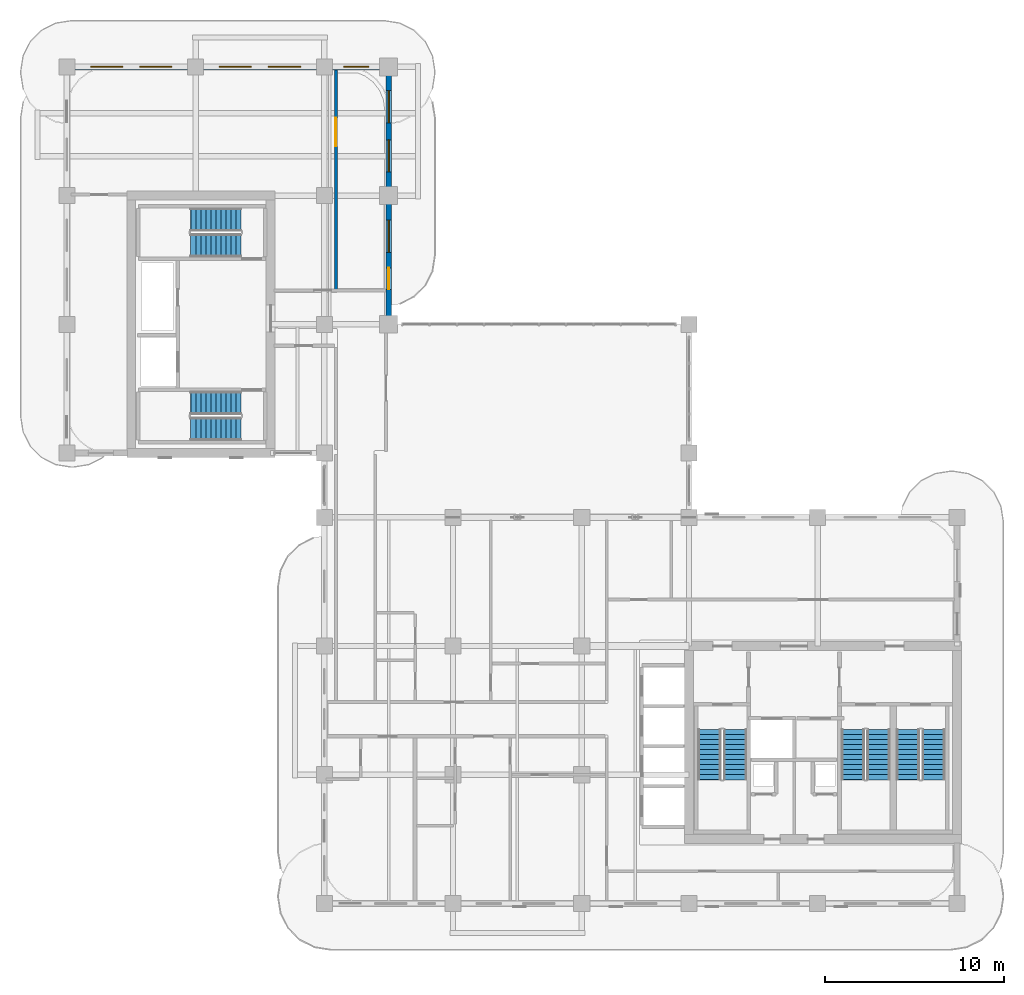
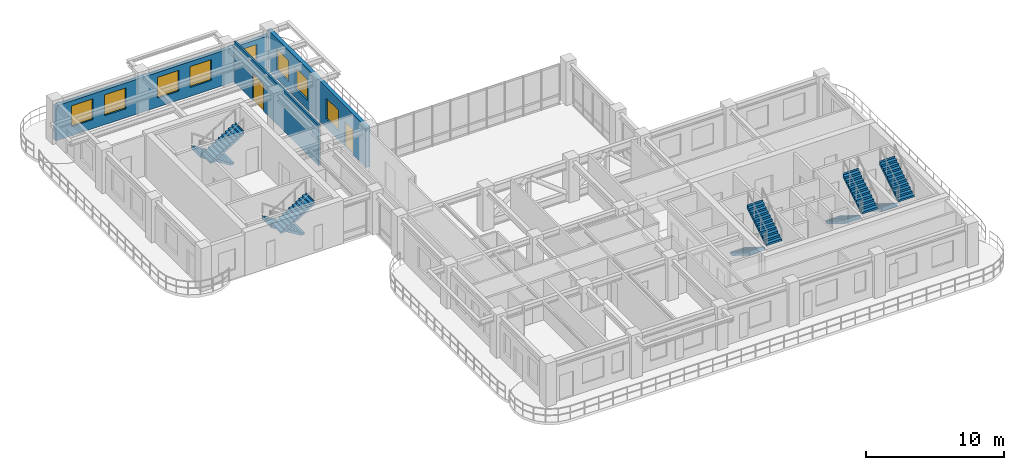
# One storey, part 14 of 19: 10 stair flights, 8 windows, 3 walls, 2 doors, 10 openings, 5 elements without a shape of their own.
"""IFC4 building model written with IfcOpenShell, lengths in metres."""

from ifc_helpers import new_model, si_unit, derived_unit, direction, frame, frame_2d, origin, place, context, subcontext, project, spatial, polyline, rectangle, outline, extrude, source, transform, mapped, material, layer, layer_set, type_object, type_shapes, element, fill, aggregate, save


model = new_model("IFC4")

# Units and contexts
model_context = context("Model", 3, precision=1e-05, world=origin(), true_north=direction((0.0, 1.0)))
body_context = subcontext(model_context, "Body", "Model", "MODEL_VIEW")
ifc_project = project(units=[si_unit("LENGTHUNIT", "METRE"), si_unit("AREAUNIT", "SQUARE_METRE"), si_unit("VOLUMEUNIT", "CUBIC_METRE"), si_unit("PLANEANGLEUNIT", "RADIAN"), si_unit("MASSUNIT", "GRAM", prefix="KILO"), si_unit("THERMODYNAMICTEMPERATUREUNIT", "KELVIN"), si_unit("POWERUNIT", "WATT"), derived_unit("THERMALTRANSMITTANCEUNIT", [(si_unit("POWERUNIT", "WATT"), 1), (si_unit("AREAUNIT", "SQUARE_METRE"), -1), (si_unit("THERMODYNAMICTEMPERATUREUNIT", "KELVIN"), -1)])], contexts=[model_context])

# Site, building, storey
site_placement = place(None, origin())
site = spatial("IfcSite", under=ifc_project, at=site_placement, CompositionType="ELEMENT")
building_placement = place(site_placement, origin())
building = spatial("IfcBuilding", under=site, at=building_placement, Name="Zahravan Archway Hotel and Residences", CompositionType="ELEMENT")
storey_placement = place(building_placement, frame((0.0, 0.0, 201.89990234375)))
storey = spatial("IfcBuildingStorey", under=building, at=storey_placement, Name="L50", CompositionType="ELEMENT", Elevation=201.89990234375)

# Wall, openings, windows
ifc_material_1 = material(Name="Agra Buff Sandstone & Insulated Backup", Category="masonry")
ifc_layer_1 = layer(ifc_material_1, 0.320068359375, Name="Agra Buff Sandstone & Insulated Backup", Category="masonry")
ifc_layer_set_1 = layer_set([ifc_layer_1], Name="Agra Buff Sandstone & Insulated Backup")
wall_type_1 = type_object("IfcWallType", Name="EW-SAND-320", PredefinedType="SOLIDWALL", material=ifc_layer_set_1)
wall_1_placement = place(storey_placement, frame((0.0, 46.800048828125, 0.0), z_axis=(0.0, 0.0, 1.0), x_axis=(1.0, 0.0, 0.0)))
wall_1 = element("IfcWall", 1, at=wall_1_placement, inside=storey, type_object=wall_type_1, Name="L50 Exterior Sandstone Wall WB-N", PredefinedType="SOLIDWALL", context=body_context, shape_type="SweptSolid", body=[
    extrude(rectangle(XDim=18.0, YDim=0.320068359375, at=frame_2d((9.0, 0.0))), origin(), (0.0, 0.0, 1.0), 3.085205078125),
])
opening_1_placement = place(wall_1_placement, frame((1.324951171875, 0.0, 0.800048828125)))
opening_1 = element("IfcOpeningElement", 2, at=opening_1_placement, cuts=wall_1, Name="Opening W-02", PredefinedType="OPENING", context=body_context, shape_type="SweptSolid", body=[
    extrude(rectangle(XDim=1.800048828125, YDim=1.85009765625, at=frame_2d((0.89990234375, 0.925048828125))), frame((0.0, 0.169921875, 0.0), z_axis=(0.0, -1.0, 0.0), x_axis=(1.0, 0.0, 0.0)), (0.0, 0.0, 1.0), 0.340087890625),
])
opening_2_placement = place(wall_1_placement, frame((4.074951171875, 0.0, 0.800048828125)))
opening_2 = element("IfcOpeningElement", 3, at=opening_2_placement, cuts=wall_1, Name="Opening W-02", PredefinedType="OPENING", context=body_context, shape_type="SweptSolid", body=[
    extrude(rectangle(XDim=1.800048828125, YDim=1.85009765625, at=frame_2d((0.89990234375, 0.925048828125))), frame((0.0, 0.169921875, 0.0), z_axis=(0.0, -1.0, 0.0), x_axis=(1.0, 0.0, 0.0)), (0.0, 0.0, 1.0), 0.340087890625),
])
opening_3_placement = place(wall_1_placement, frame((8.52490234375, 0.0, 0.800048828125)))
opening_3 = element("IfcOpeningElement", 4, at=opening_3_placement, cuts=wall_1, Name="Opening W-02", PredefinedType="OPENING", context=body_context, shape_type="SweptSolid", body=[
    extrude(rectangle(XDim=1.800048828125, YDim=1.85009765625, at=frame_2d((0.89990234375, 0.925048828125))), frame((0.0, 0.169921875, 0.0), z_axis=(0.0, -1.0, 0.0), x_axis=(1.0, 0.0, 0.0)), (0.0, 0.0, 1.0), 0.340087890625),
])
opening_4_placement = place(wall_1_placement, frame((11.27490234375, 0.0, 0.800048828125)))
opening_4 = element("IfcOpeningElement", 5, at=opening_4_placement, cuts=wall_1, Name="Opening W-02", PredefinedType="OPENING", context=body_context, shape_type="SweptSolid", body=[
    extrude(rectangle(XDim=1.800048828125, YDim=1.85009765625, at=frame_2d((0.89990234375, 0.925048828125))), frame((0.0, 0.169921875, 0.0), z_axis=(0.0, -1.0, 0.0), x_axis=(1.0, 0.0, 0.0)), (0.0, 0.0, 1.0), 0.340087890625),
])
opening_5_placement = place(wall_1_placement, frame((15.5, 0.0, 0.800048828125)))
opening_5 = element("IfcOpeningElement", 6, at=opening_5_placement, cuts=wall_1, Name="Opening W-03", PredefinedType="OPENING", context=body_context, shape_type="SweptSolid", body=[
    extrude(rectangle(XDim=1.39990234375, YDim=1.85009765625, at=frame_2d((0.699951171875, 0.925048828125))), frame((0.0, 0.169921875, 0.0), z_axis=(0.0, -1.0, 0.0), x_axis=(1.0, 0.0, 0.0)), (0.0, 0.0, 1.0), 0.340087890625),
])
ifc_material_2 = material(Name="Bronze-Anodized Thermal-Break Aluminium & Low-E Glass", Category="aluminium")
window_type_1 = type_object("IfcWindowType", Name="WIN-TWR-1400", PartitioningType="SINGLE_PANEL", PredefinedType="WINDOW", material=ifc_material_2)
shared_shape_1 = source(origin(), body_context, "Body", "SweptSolid", [
    extrude(rectangle(XDim=1.39990234375, YDim=1.85009765625, at=frame_2d((0.699951171875, 0.925048828125))), frame((0.0, 0.030029296875, 0.0), z_axis=(0.0, -1.0, 0.0), x_axis=(1.0, 0.0, 0.0)), (0.0, 0.0, 1.0), 0.06005859375),
])
type_shapes(window_type_1, [shared_shape_1])
window_1_placement = place(opening_5_placement, origin())
window_1 = element("IfcWindow", 7, at=window_1_placement, inside=storey, type_object=window_type_1, Name="L50 Loggia Window 30", OverallHeight=1.85009765625, OverallWidth=1.39990234375, PartitioningType="SINGLE_PANEL", PredefinedType="WINDOW", context=body_context, shape_type="MappedRepresentation", body=[
    mapped(shared_shape_1, transform((0.0, 0.0, 0.0), scale=1.0)),
])
fill(opening_5, window_1)
window_type_2 = type_object("IfcWindowType", Name="WIN-TWR-1800", PartitioningType="DOUBLE_PANEL_VERTICAL", PredefinedType="WINDOW", material=ifc_material_2)
shared_shape_2 = source(origin(), body_context, "Body", "SweptSolid", [
    extrude(rectangle(XDim=1.800048828125, YDim=1.85009765625, at=frame_2d((0.89990234375, 0.925048828125))), frame((0.0, 0.030029296875, 0.0), z_axis=(0.0, -1.0, 0.0), x_axis=(1.0, 0.0, 0.0)), (0.0, 0.0, 1.0), 0.06005859375),
])
type_shapes(window_type_2, [shared_shape_2])
window_2_placement = place(opening_1_placement, origin())
window_2 = element("IfcWindow", 8, at=window_2_placement, inside=storey, type_object=window_type_2, Name="L50 Loggia Window 26", OverallHeight=1.85009765625, OverallWidth=1.800048828125, PartitioningType="DOUBLE_PANEL_VERTICAL", PredefinedType="WINDOW", context=body_context, shape_type="MappedRepresentation", body=[
    mapped(shared_shape_2, transform((0.0, 0.0, 0.0), scale=1.0)),
])
fill(opening_1, window_2)
window_3_placement = place(opening_2_placement, origin())
window_3 = element("IfcWindow", 9, at=window_3_placement, inside=storey, type_object=window_type_2, Name="L50 Loggia Window 27", OverallHeight=1.85009765625, OverallWidth=1.800048828125, PartitioningType="DOUBLE_PANEL_VERTICAL", PredefinedType="WINDOW", context=body_context, shape_type="MappedRepresentation", body=[
    mapped(shared_shape_2, transform((0.0, 0.0, 0.0), scale=1.0)),
])
fill(opening_2, window_3)
window_4_placement = place(opening_3_placement, origin())
window_4 = element("IfcWindow", 10, at=window_4_placement, inside=storey, type_object=window_type_2, Name="L50 Loggia Window 28", OverallHeight=1.85009765625, OverallWidth=1.800048828125, PartitioningType="DOUBLE_PANEL_VERTICAL", PredefinedType="WINDOW", context=body_context, shape_type="MappedRepresentation", body=[
    mapped(shared_shape_2, transform((0.0, 0.0, 0.0), scale=1.0)),
])
fill(opening_3, window_4)
window_5_placement = place(opening_4_placement, origin())
window_5 = element("IfcWindow", 11, at=window_5_placement, inside=storey, type_object=window_type_2, Name="L50 Loggia Window 29", OverallHeight=1.85009765625, OverallWidth=1.800048828125, PartitioningType="DOUBLE_PANEL_VERTICAL", PredefinedType="WINDOW", context=body_context, shape_type="MappedRepresentation", body=[
    mapped(shared_shape_2, transform((0.0, 0.0, 0.0), scale=1.0)),
])
fill(opening_4, window_5)

# Wall, openings, door, windows
wall_2_placement = place(storey_placement, frame((18.0, 32.39990234375, 0.0), z_axis=(0.0, 0.0, 1.0), x_axis=(0.0, 1.0, 0.0)))
wall_2 = element("IfcWall", 12, at=wall_2_placement, inside=storey, type_object=wall_type_1, Name="L50 Exterior Sandstone Wall WB-EU", PredefinedType="SOLIDWALL", context=body_context, shape_type="SweptSolid", body=[
    extrude(rectangle(XDim=14.35009765625, YDim=0.320068359375, at=frame_2d((7.175048828125, 0.0))), origin(), (0.0, 0.0, 1.0), 3.60009765625),
])
opening_6_placement = place(wall_2_placement, frame((1.9560546875, 0.0, 0.0)))
opening_6 = element("IfcOpeningElement", 13, at=opening_6_placement, cuts=wall_2, Name="Opening ED-BL1", PredefinedType="OPENING", context=body_context, shape_type="SweptSolid", body=[
    extrude(rectangle(XDim=1.199951171875, YDim=2.199951171875, at=frame_2d((0.60009765625, 1.10009765625))), frame((0.0, 0.169921875, 0.0), z_axis=(0.0, -1.0, 0.0), x_axis=(1.0, 0.0, 0.0)), (0.0, 0.0, 1.0), 0.340087890625),
])
opening_7_placement = place(wall_2_placement, frame((4.028076171875, 0.0, 0.800048828125)))
opening_7 = element("IfcOpeningElement", 14, at=opening_7_placement, cuts=wall_2, Name="Opening W-02", PredefinedType="OPENING", context=body_context, shape_type="SweptSolid", body=[
    extrude(rectangle(XDim=1.800048828125, YDim=1.85009765625, at=frame_2d((0.89990234375, 0.925048828125))), frame((0.0, 0.169921875, 0.0), z_axis=(0.0, -1.0, 0.0), x_axis=(1.0, 0.0, 0.0)), (0.0, 0.0, 1.0), 0.340087890625),
])
opening_8_placement = place(wall_2_placement, frame((8.52490234375, 0.0, 0.800048828125)))
opening_8 = element("IfcOpeningElement", 15, at=opening_8_placement, cuts=wall_2, Name="Opening W-02", PredefinedType="OPENING", context=body_context, shape_type="SweptSolid", body=[
    extrude(rectangle(XDim=1.800048828125, YDim=1.85009765625, at=frame_2d((0.89990234375, 0.925048828125))), frame((0.0, 0.169921875, 0.0), z_axis=(0.0, -1.0, 0.0), x_axis=(1.0, 0.0, 0.0)), (0.0, 0.0, 1.0), 0.340087890625),
])
opening_9_placement = place(wall_2_placement, frame((11.27490234375, 0.0, 0.800048828125)))
opening_9 = element("IfcOpeningElement", 16, at=opening_9_placement, cuts=wall_2, Name="Opening W-02", PredefinedType="OPENING", context=body_context, shape_type="SweptSolid", body=[
    extrude(rectangle(XDim=1.800048828125, YDim=1.85009765625, at=frame_2d((0.89990234375, 0.925048828125))), frame((0.0, 0.169921875, 0.0), z_axis=(0.0, -1.0, 0.0), x_axis=(1.0, 0.0, 0.0)), (0.0, 0.0, 1.0), 0.340087890625),
])
ifc_material_3 = material(Name="Bronze-Anodized Glazed Aluminium", Category="aluminium")
door_type_1 = type_object("IfcDoorType", Name="ED-BALC-1200", OperationType="SLIDING_TO_LEFT", PredefinedType="DOOR", material=ifc_material_3)
shared_shape_3 = source(origin(), body_context, "Body", "SweptSolid", [
    extrude(rectangle(XDim=1.199951171875, YDim=2.199951171875, at=frame_2d((0.60009765625, 1.10009765625))), frame((0.0, 0.02490234375, 0.0), z_axis=(0.0, -1.0, 0.0), x_axis=(1.0, 0.0, 0.0)), (0.0, 0.0, 1.0), 0.050048828125),
])
type_shapes(door_type_1, [shared_shape_3])
door_1_placement = place(opening_6_placement, origin())
door_1 = element("IfcDoor", 17, at=door_1_placement, inside=storey, type_object=door_type_1, Name="L50 Outdoor Access Sliding Door (SLB-BAL-L50-EB)", OperationType="SLIDING_TO_LEFT", OverallHeight=2.199951171875, OverallWidth=1.199951171875, PredefinedType="DOOR", context=body_context, shape_type="MappedRepresentation", body=[
    mapped(shared_shape_3, transform((0.0, 0.0, 0.0), scale=1.0)),
])
fill(opening_6, door_1)
window_6_placement = place(opening_7_placement, origin())
window_6 = element("IfcWindow", 18, at=window_6_placement, inside=storey, type_object=window_type_2, Name="L50 Loggia Window 31", OverallHeight=1.85009765625, OverallWidth=1.800048828125, PartitioningType="DOUBLE_PANEL_VERTICAL", PredefinedType="WINDOW", context=body_context, shape_type="MappedRepresentation", body=[
    mapped(shared_shape_2, transform((0.0, 0.0, 0.0), scale=1.0)),
])
fill(opening_7, window_6)
window_7_placement = place(opening_8_placement, origin())
window_7 = element("IfcWindow", 19, at=window_7_placement, inside=storey, type_object=window_type_2, Name="L50 Loggia Window 32", OverallHeight=1.85009765625, OverallWidth=1.800048828125, PartitioningType="DOUBLE_PANEL_VERTICAL", PredefinedType="WINDOW", context=body_context, shape_type="MappedRepresentation", body=[
    mapped(shared_shape_2, transform((0.0, 0.0, 0.0), scale=1.0)),
])
fill(opening_8, window_7)
window_8_placement = place(opening_9_placement, origin())
window_8 = element("IfcWindow", 20, at=window_8_placement, inside=storey, type_object=window_type_2, Name="L50 Loggia Window 33", OverallHeight=1.85009765625, OverallWidth=1.800048828125, PartitioningType="DOUBLE_PANEL_VERTICAL", PredefinedType="WINDOW", context=body_context, shape_type="MappedRepresentation", body=[
    mapped(shared_shape_2, transform((0.0, 0.0, 0.0), scale=1.0)),
])
fill(opening_9, window_8)

# Wall, opening, door
ifc_material_4 = material(Name="Fire-Rated Gypsum & Concrete Block", Category="concrete")
ifc_layer_2 = layer(ifc_material_4, 0.159912109375, Name="Fire-Rated Gypsum & Concrete Block", Category="concrete")
ifc_layer_set_2 = layer_set([ifc_layer_2], Name="Fire-Rated Gypsum & Concrete Block")
wall_type_2 = type_object("IfcWallType", Name="PW-CORR-160", PredefinedType="PARTITIONING", material=ifc_layer_set_2)
wall_3_placement = place(storey_placement, frame((15.050048828125, 34.340087890625, 0.0), z_axis=(0.0, 0.0, 1.0), x_axis=(0.0, 1.0, 0.0)))
wall_3 = element("IfcWall", 21, at=wall_3_placement, inside=storey, type_object=wall_type_2, Name="L50 Partition WBN-C", PredefinedType="PARTITIONING", context=body_context, shape_type="SweptSolid", body=[
    extrude(rectangle(XDim=12.2919921875, YDim=0.159912109375, at=frame_2d((6.14599609375, 0.0))), origin(), (0.0, 0.0, 1.0), 3.60009765625),
])
opening_10_placement = place(wall_3_placement, frame((8.010009765625, 0.0, 0.0)))
opening_10 = element("IfcOpeningElement", 22, at=opening_10_placement, cuts=wall_3, Name="Opening D-P2", PredefinedType="OPENING", context=body_context, shape_type="SweptSolid", body=[
    extrude(rectangle(XDim=1.60009765625, YDim=2.39990234375, at=frame_2d((0.800048828125, 1.199951171875))), frame((0.0, 0.08984375, 0.0), z_axis=(0.0, -1.0, 0.0), x_axis=(1.0, 0.0, 0.0)), (0.0, 0.0, 1.0), 0.179931640625),
])
door_type_2 = type_object("IfcDoorType", Name="ID-PUBLIC-1600", OperationType="DOUBLE_DOOR_SINGLE_SWING", PredefinedType="DOOR", material=ifc_material_3)
shared_shape_4 = source(origin(), body_context, "Body", "SweptSolid", [
    extrude(rectangle(XDim=1.60009765625, YDim=2.39990234375, at=frame_2d((0.800048828125, 1.199951171875))), frame((0.0, 0.02490234375, 0.0), z_axis=(0.0, -1.0, 0.0), x_axis=(1.0, 0.0, 0.0)), (0.0, 0.0, 1.0), 0.050048828125),
])
type_shapes(door_type_2, [shared_shape_4])
door_2_placement = place(opening_10_placement, origin())
door_2 = element("IfcDoor", 23, at=door_2_placement, inside=storey, type_object=door_type_2, Name="L50 North Wing Spa Salon Door", OperationType="DOUBLE_DOOR_SINGLE_SWING", OverallHeight=2.39990234375, OverallWidth=1.60009765625, PredefinedType="DOOR", context=body_context, shape_type="MappedRepresentation", body=[
    mapped(shared_shape_4, transform((0.0, 0.0, 0.0), scale=1.0)),
])
fill(opening_10, door_2)

# Stair, stair flights
ifc_material_5 = material(Name="Concrete C50/60", Category="concrete")
stair_type = type_object("IfcStairType", Name="STR-CORE-1300", PredefinedType="HALF_TURN_STAIR", material=ifc_material_5)
stair_1_placement = place(storey_placement, origin())
stair_1 = element("IfcStair", 24, at=stair_1_placement, inside=storey, type_object=stair_type, Name="L50 Core A Exit Stair 1", PredefinedType="HALF_TURN_STAIR")
ifc_layer_3 = layer(ifc_material_5, 0.199951171875, Name="Concrete C50/60", Category="concrete")
ifc_layer_set_3 = layer_set([ifc_layer_3], Name="Concrete C50/60")
stair_flight_type = type_object("IfcStairFlightType", Name="SFL-CORE-1300", PredefinedType="STRAIGHT", material=ifc_layer_set_3)
shared_shape_5 = source(origin(), body_context, "Body", "SweptSolid", [
    extrude(outline(polyline([(-0.01611328125, 0.0), (-0.01611328125, 0.175048828125), (0.280029296875, 0.175048828125), (0.280029296875, 0.35009765625), (0.56005859375, 0.35009765625), (0.56005859375, 0.52490234375), (0.840087890625, 0.52490234375), (0.840087890625, 0.699951171875), (1.1201171875, 0.699951171875), (1.1201171875, 0.875), (1.39990234375, 0.875), (1.39990234375, 1.050048828125), (1.679931640625, 1.050048828125), (1.679931640625, 1.22509765625), (1.9599609375, 1.22509765625), (1.9599609375, 1.39990234375), (2.239990234375, 1.39990234375), (2.239990234375, 1.574951171875), (2.52001953125, 1.574951171875), (2.52001953125, 1.75), (2.800048828125, 1.75), (2.800048828125, 1.925048828125), (2.816162109375, 1.925048828125), (2.816162109375, 1.5732421875), (0.28271484375, 0.0), (-0.01611328125, 0.0)])), frame((0.0, 0.64990234375, 0.0), z_axis=(0.0, -1.0, 0.0), x_axis=(1.0, 0.0, 0.0)), (0.0, 0.0, 1.0), 1.300048828125),
])
stair_flight_1_placement = place(storey_placement, frame((35.949951171875, 9.72998046875, 0.0), z_axis=(0.0, 0.0, 1.0), x_axis=(0.0, -1.0, 0.0)))
stair_flight_1 = element("IfcStairFlight", 25, at=stair_flight_1_placement, type_object=stair_flight_type, Name="ST-A1 flight 1", NumberOfRisers=11, NumberOfTreads=10, PredefinedType="STRAIGHT", RiserHeight=0.175, TreadLength=0.28, context=body_context, shape_type="MappedRepresentation", body=[
    mapped(shared_shape_5, transform((0.0, 0.0, 0.0), scale=1.0)),
])
stair_flight_2_placement = place(storey_placement, frame((37.389892578125, 6.929931640625, 1.925048828125), z_axis=(0.0, 0.0, 1.0), x_axis=(0.0, 1.0, 0.0)))
stair_flight_2 = element("IfcStairFlight", 26, at=stair_flight_2_placement, type_object=stair_flight_type, Name="ST-A1 flight 2", NumberOfRisers=11, NumberOfTreads=10, PredefinedType="STRAIGHT", RiserHeight=0.175, TreadLength=0.28, context=body_context, shape_type="MappedRepresentation", body=[
    mapped(shared_shape_5, transform((0.0, 0.0, 0.0), scale=1.0)),
])
aggregate(stair_1, [stair_flight_1, stair_flight_2])

stair_2_placement = place(storey_placement, origin())
stair_2 = element("IfcStair", 27, at=stair_2_placement, inside=storey, type_object=stair_type, Name="L50 Core A Exit Stair 2", PredefinedType="HALF_TURN_STAIR")
stair_flight_3_placement = place(storey_placement, frame((43.969970703125, 9.72998046875, 0.0), z_axis=(0.0, 0.0, 1.0), x_axis=(0.0, -1.0, 0.0)))
stair_flight_3 = element("IfcStairFlight", 28, at=stair_flight_3_placement, type_object=stair_flight_type, Name="ST-A2 flight 1", NumberOfRisers=11, NumberOfTreads=10, PredefinedType="STRAIGHT", RiserHeight=0.175, TreadLength=0.28, context=body_context, shape_type="MappedRepresentation", body=[
    mapped(shared_shape_5, transform((0.0, 0.0, 0.0), scale=1.0)),
])
stair_flight_4_placement = place(storey_placement, frame((45.409912109375, 6.929931640625, 1.925048828125), z_axis=(0.0, 0.0, 1.0), x_axis=(0.0, 1.0, 0.0)))
stair_flight_4 = element("IfcStairFlight", 29, at=stair_flight_4_placement, type_object=stair_flight_type, Name="ST-A2 flight 2", NumberOfRisers=11, NumberOfTreads=10, PredefinedType="STRAIGHT", RiserHeight=0.175, TreadLength=0.28, context=body_context, shape_type="MappedRepresentation", body=[
    mapped(shared_shape_5, transform((0.0, 0.0, 0.0), scale=1.0)),
])
aggregate(stair_2, [stair_flight_3, stair_flight_4])

stair_3_placement = place(storey_placement, origin())
stair_3 = element("IfcStair", 30, at=stair_3_placement, inside=storey, type_object=stair_type, Name="L50 Core A Exit Stair 3", PredefinedType="HALF_TURN_STAIR")
stair_flight_5_placement = place(storey_placement, frame((47.050048828125, 9.72998046875, 0.0), z_axis=(0.0, 0.0, 1.0), x_axis=(0.0, -1.0, 0.0)))
stair_flight_5 = element("IfcStairFlight", 31, at=stair_flight_5_placement, type_object=stair_flight_type, Name="ST-A3 flight 1", NumberOfRisers=11, NumberOfTreads=10, PredefinedType="STRAIGHT", RiserHeight=0.175, TreadLength=0.28, context=body_context, shape_type="MappedRepresentation", body=[
    mapped(shared_shape_5, transform((0.0, 0.0, 0.0), scale=1.0)),
])
stair_flight_6_placement = place(storey_placement, frame((48.489990234375, 6.929931640625, 1.925048828125), z_axis=(0.0, 0.0, 1.0), x_axis=(0.0, 1.0, 0.0)))
stair_flight_6 = element("IfcStairFlight", 32, at=stair_flight_6_placement, type_object=stair_flight_type, Name="ST-A3 flight 2", NumberOfRisers=11, NumberOfTreads=10, PredefinedType="STRAIGHT", RiserHeight=0.175, TreadLength=0.28, context=body_context, shape_type="MappedRepresentation", body=[
    mapped(shared_shape_5, transform((0.0, 0.0, 0.0), scale=1.0)),
])
aggregate(stair_3, [stair_flight_5, stair_flight_6])

stair_4_placement = place(storey_placement, origin())
stair_4 = element("IfcStair", 33, at=stair_4_placement, inside=storey, type_object=stair_type, Name="L50 Core B Exit Stair 1", PredefinedType="HALF_TURN_STAIR")
stair_flight_7_placement = place(storey_placement, frame((9.72998046875, 27.989990234375, 0.0), z_axis=(0.0, 0.0, 1.0), x_axis=(-1.0, 0.0, 0.0)))
stair_flight_7 = element("IfcStairFlight", 34, at=stair_flight_7_placement, type_object=stair_flight_type, Name="ST-B1 flight 1", NumberOfRisers=11, NumberOfTreads=10, PredefinedType="STRAIGHT", RiserHeight=0.175, TreadLength=0.28, context=body_context, shape_type="MappedRepresentation", body=[
    mapped(shared_shape_5, transform((0.0, 0.0, 0.0), scale=1.0)),
])
stair_flight_8_placement = place(storey_placement, frame((6.929931640625, 26.550048828125, 1.925048828125), z_axis=(0.0, 0.0, 1.0), x_axis=(1.0, 0.0, 0.0)))
stair_flight_8 = element("IfcStairFlight", 35, at=stair_flight_8_placement, type_object=stair_flight_type, Name="ST-B1 flight 2", NumberOfRisers=11, NumberOfTreads=10, PredefinedType="STRAIGHT", RiserHeight=0.175, TreadLength=0.28, context=body_context, shape_type="MappedRepresentation", body=[
    mapped(shared_shape_5, transform((0.0, 0.0, 0.0), scale=1.0)),
])
aggregate(stair_4, [stair_flight_7, stair_flight_8])

stair_5_placement = place(storey_placement, origin())
stair_5 = element("IfcStair", 36, at=stair_5_placement, inside=storey, type_object=stair_type, Name="L50 Core B Exit Stair 2", PredefinedType="HALF_TURN_STAIR")
stair_flight_9_placement = place(storey_placement, frame((9.72998046875, 38.25, 0.0), z_axis=(0.0, 0.0, 1.0), x_axis=(-1.0, 0.0, 0.0)))
stair_flight_9 = element("IfcStairFlight", 37, at=stair_flight_9_placement, type_object=stair_flight_type, Name="ST-B2 flight 1", NumberOfRisers=11, NumberOfTreads=10, PredefinedType="STRAIGHT", RiserHeight=0.175, TreadLength=0.28, context=body_context, shape_type="MappedRepresentation", body=[
    mapped(shared_shape_5, transform((0.0, 0.0, 0.0), scale=1.0)),
])
stair_flight_10_placement = place(storey_placement, frame((6.929931640625, 36.81005859375, 1.925048828125), z_axis=(0.0, 0.0, 1.0), x_axis=(1.0, 0.0, 0.0)))
stair_flight_10 = element("IfcStairFlight", 38, at=stair_flight_10_placement, type_object=stair_flight_type, Name="ST-B2 flight 2", NumberOfRisers=11, NumberOfTreads=10, PredefinedType="STRAIGHT", RiserHeight=0.175, TreadLength=0.28, context=body_context, shape_type="MappedRepresentation", body=[
    mapped(shared_shape_5, transform((0.0, 0.0, 0.0), scale=1.0)),
])
aggregate(stair_5, [stair_flight_9, stair_flight_10])

save(model, "model.ifc")
